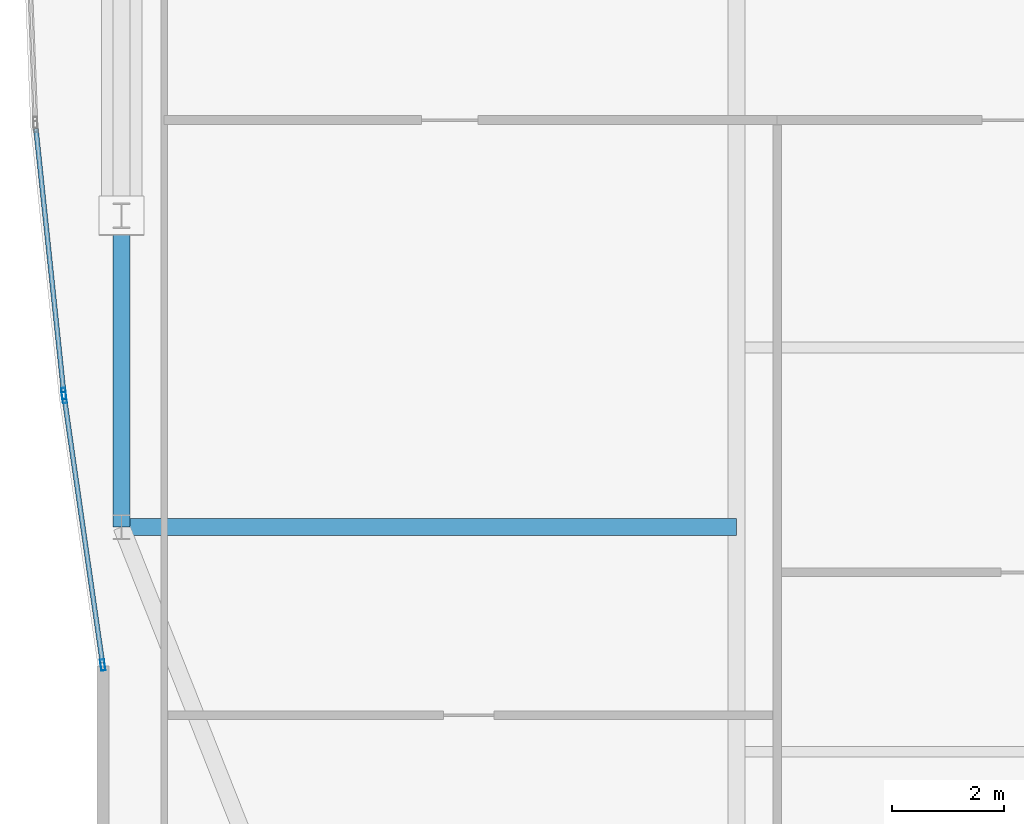
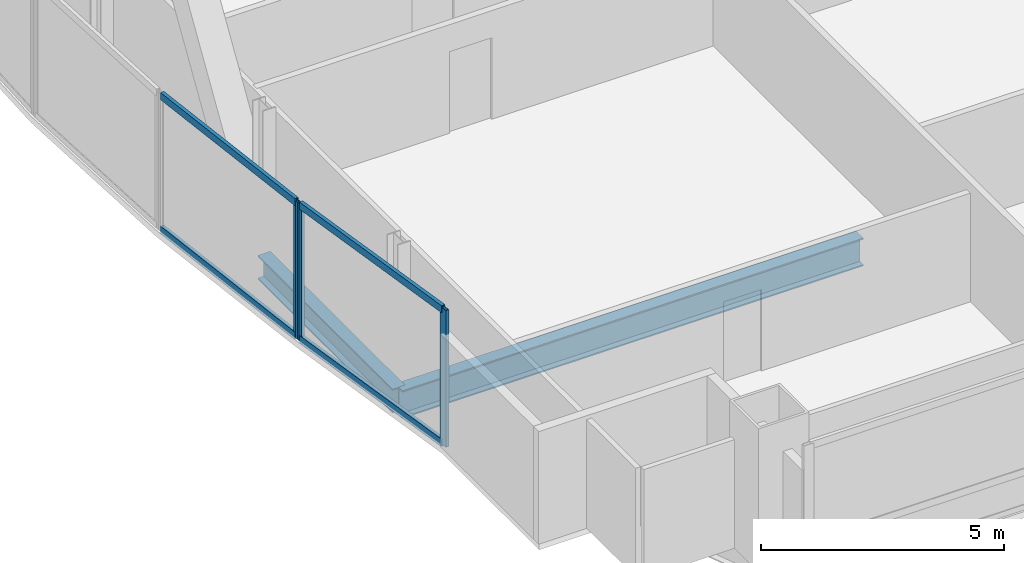
# One storey, part 6 of 32: 7 members, 2 beams, 2 elements without a shape of their own.
"""IFC4 building model written with IfcOpenShell, lengths in metres."""

from ifc_helpers import new_model, si_unit, direction, frame, origin, origin_2d, place, context, subcontext, project, spatial, hollow_rectangle, i_section, extrude, material, material_profile, profile_set, type_object, element, aggregate, save


model = new_model("IFC4")

# Units and contexts
model_context = context("Model", 3, precision=1e-05, world=origin(), true_north=direction((0.0, 1.0)))
body_context = subcontext(model_context, "Body", "Model", "MODEL_VIEW")
ifc_project = project(units=[si_unit("LENGTHUNIT", "METRE"), si_unit("AREAUNIT", "SQUARE_METRE"), si_unit("VOLUMEUNIT", "CUBIC_METRE"), si_unit("PLANEANGLEUNIT", "RADIAN"), si_unit("MASSUNIT", "GRAM", prefix="KILO")], contexts=[model_context])

# Site, building, storey
site_placement = place(None, origin())
site = spatial("IfcSite", under=ifc_project, at=site_placement, CompositionType="ELEMENT")
building_placement = place(site_placement, origin())
building = spatial("IfcBuilding", under=site, at=building_placement, Name="Khoronbel Lancet Exchange", CompositionType="ELEMENT")
storey_placement = place(building_placement, frame((0.0, 0.0, 199.39990234375)))
storey = spatial("IfcBuildingStorey", under=building, at=storey_placement, Name="L50", CompositionType="ELEMENT", Elevation=199.39990234375)

# Beams
ifc_material_1 = material(Name="Steel S355", Category="steel")
ifc_material_profile_1 = material_profile(ifc_material_1, i_section(OverallWidth=0.300048828125, OverallDepth=0.699951171875, WebThickness=0.01708984375, FlangeThickness=0.031982421875, at=origin_2d()), Name="HEB 700")
ifc_profile_set_1 = profile_set([ifc_material_profile_1], Name="Steel S355")
beam_type_1 = type_object("IfcBeamType", Name="BM-BG3", PredefinedType="BEAM", material=ifc_profile_set_1)
beam_1_placement = place(storey_placement, frame((7.27001953125, 19.199951171875, -0.510009765625), z_axis=(1.0, 0.0, 0.0), x_axis=(0.0, 1.0, 0.0)))
element("IfcBeam", 1, at=beam_1_placement, inside=storey, type_object=beam_type_1, Name="Level L50 west lens tie girder LG1W", PredefinedType="BEAM", context=body_context, shape_type="SweptSolid", body=[
    extrude(i_section(OverallWidth=0.300048828125, OverallDepth=0.699951171875, WebThickness=0.01708984375, FlangeThickness=0.031982421875, at=origin_2d()), origin(), (0.0, 0.0, 1.0), 10.955078125),
])
ifc_material_profile_2 = material_profile(ifc_material_1, i_section(OverallWidth=0.300048828125, OverallDepth=0.60009765625, WebThickness=0.015380859375, FlangeThickness=0.030029296875, at=origin_2d()), Name="HEB 600")
ifc_profile_set_2 = profile_set([ifc_material_profile_2], Name="Steel S355")
beam_type_2 = type_object("IfcBeamType", Name="BM-BSP2", PredefinedType="SPANDREL", material=ifc_profile_set_2)
beam_2_placement = place(storey_placement, frame((7.27001953125, 24.75, -0.4599609375), z_axis=(0.0, -1.0, 0.0), x_axis=(1.0, 0.0, 0.0)))
element("IfcBeam", 2, at=beam_2_placement, inside=storey, type_object=beam_type_2, Name="Level L50 perimeter spandrel beam SP20", PredefinedType="SPANDREL", context=body_context, shape_type="SweptSolid", body=[
    extrude(i_section(OverallWidth=0.300048828125, OverallDepth=0.60009765625, WebThickness=0.015380859375, FlangeThickness=0.030029296875, at=origin_2d()), origin(), (0.0, 0.0, 1.0), 5.550048828125),
])

# Curtain wall, members
ifc_material_2 = material(Name="Low-E Solar Control Insulating Glass", Category="glass")
curtain_wall_type = type_object("IfcCurtainWallType", Name="CW-4", PredefinedType="NOTDEFINED", material=ifc_material_2)
curtain_wall_1_placement = place(storey_placement, origin())
curtain_wall_1 = element("IfcCurtainWall", 3, at=curtain_wall_1_placement, inside=storey, type_object=curtain_wall_type, Name="Unitised curtain wall CW-L50-E04", PredefinedType="NOTDEFINED")
ifc_material_3 = material(Name="Bronze-Anodised Aluminium 6063-T6", Category="aluminium")
ifc_material_profile_3 = material_profile(ifc_material_3, hollow_rectangle(XDim=0.074951171875, YDim=0.199951171875, WallThickness=0.0048828125, at=origin_2d()), Name="ALU MULLION 75x200")
ifc_profile_set_3 = profile_set([ifc_material_profile_3], Name="Bronze-Anodised Aluminium 6063-T6")
member_type_1 = type_object("IfcMemberType", Name="MEM-CWM2", PredefinedType="MULLION", material=ifc_profile_set_3)
member_1_placement = place(storey_placement, frame((6.9345703125, 16.743408203125, 0.0), z_axis=(0.0, 0.0, 1.0), x_axis=(-0.989821424195, -0.142314961279, 0.0)))
member_1 = element("IfcMember", 4, at=member_1_placement, type_object=member_type_1, Name="CW4 mullion 1", PredefinedType="MULLION", context=body_context, shape_type="SweptSolid", body=[
    extrude(hollow_rectangle(XDim=0.074951171875, YDim=0.199951171875, WallThickness=0.0048828125, at=origin_2d()), origin(), (0.0, 0.0, 1.0), 3.440185546875),
])
member_2_placement = place(storey_placement, frame((6.249755859375, 21.50732421875, 0.0), z_axis=(0.0, 0.0, 1.0), x_axis=(-0.989821424195, -0.142314961279, 0.0)))
member_2 = element("IfcMember", 5, at=member_2_placement, type_object=member_type_1, Name="CW4 mullion 2", PredefinedType="MULLION", context=body_context, shape_type="SweptSolid", body=[
    extrude(hollow_rectangle(XDim=0.074951171875, YDim=0.199951171875, WallThickness=0.0048828125, at=origin_2d()), origin(), (0.0, 0.0, 1.0), 3.440185546875),
])

# Curtain wall, member
curtain_wall_2_placement = place(storey_placement, origin())
curtain_wall_2 = element("IfcCurtainWall", 6, at=curtain_wall_2_placement, inside=storey, type_object=curtain_wall_type, Name="Unitised curtain wall CW-L50-E05", PredefinedType="NOTDEFINED")
member_3_placement = place(storey_placement, frame((6.240478515625, 21.581787109375, 0.0), z_axis=(0.0, 0.0, 1.0), x_axis=(-0.994505340069, -0.104685856606, 0.0)))
member_3 = element("IfcMember", 7, at=member_3_placement, type_object=member_type_1, Name="CW4 mullion 1", PredefinedType="MULLION", context=body_context, shape_type="SweptSolid", body=[
    extrude(hollow_rectangle(XDim=0.074951171875, YDim=0.199951171875, WallThickness=0.0048828125, at=origin_2d()), origin(), (0.0, 0.0, 1.0), 3.440185546875),
])

# Member
ifc_material_profile_4 = material_profile(ifc_material_3, hollow_rectangle(XDim=0.0849609375, YDim=0.179931640625, WallThickness=0.0048828125, at=origin_2d()), Name="ALU TRANSOM 85x180")
ifc_profile_set_4 = profile_set([ifc_material_profile_4], Name="Bronze-Anodised Aluminium 6063-T6")
member_type_2 = type_object("IfcMemberType", Name="MEM-CWT1", PredefinedType="USERDEFINED", material=ifc_profile_set_4)
member_4_placement = place(storey_placement, frame((6.929443359375, 16.780517578125, 0.04248046875), z_axis=(-0.142323054791, 0.989820260489, 0.0), x_axis=(-0.989820260489, -0.142323054791, 0.0)))
member_4 = element("IfcMember", 8, at=member_4_placement, type_object=member_type_2, Name="CW4 transom 1.1", ObjectType="TRANSOM", PredefinedType="USERDEFINED", context=body_context, shape_type="SweptSolid", body=[
    extrude(hollow_rectangle(XDim=0.0849609375, YDim=0.179931640625, WallThickness=0.0048828125, at=origin_2d()), origin(), (0.0, 0.0, 1.0), 4.738037109375),
])

member_5_placement = place(storey_placement, frame((6.929443359375, 16.780517578125, 3.397705078125), z_axis=(-0.142323054791, 0.989820260489, 0.0), x_axis=(-0.989820260489, -0.142323054791, 0.0)))
member_5 = element("IfcMember", 9, at=member_5_placement, type_object=member_type_2, Name="CW4 transom 1.2", ObjectType="TRANSOM", PredefinedType="USERDEFINED", context=body_context, shape_type="SweptSolid", body=[
    extrude(hollow_rectangle(XDim=0.0849609375, YDim=0.179931640625, WallThickness=0.0048828125, at=origin_2d()), origin(), (0.0, 0.0, 1.0), 4.738037109375),
])

aggregate(curtain_wall_1, [member_1, member_2, member_4, member_5])

member_6_placement = place(storey_placement, frame((6.236572265625, 21.618896484375, 0.04248046875), z_axis=(-0.104700989227, 0.994503747029, 0.0), x_axis=(-0.994503747029, -0.104700989227, 0.0)))
member_6 = element("IfcMember", 10, at=member_6_placement, type_object=member_type_2, Name="CW4 transom 1.1", ObjectType="TRANSOM", PredefinedType="USERDEFINED", context=body_context, shape_type="SweptSolid", body=[
    extrude(hollow_rectangle(XDim=0.0849609375, YDim=0.179931640625, WallThickness=0.0048828125, at=origin_2d()), origin(), (0.0, 0.0, 1.0), 4.70556640625),
])

member_7_placement = place(storey_placement, frame((6.236572265625, 21.618896484375, 3.397705078125), z_axis=(-0.104700989227, 0.994503747029, 0.0), x_axis=(-0.994503747029, -0.104700989227, 0.0)))
member_7 = element("IfcMember", 11, at=member_7_placement, type_object=member_type_2, Name="CW4 transom 1.2", ObjectType="TRANSOM", PredefinedType="USERDEFINED", context=body_context, shape_type="SweptSolid", body=[
    extrude(hollow_rectangle(XDim=0.0849609375, YDim=0.179931640625, WallThickness=0.0048828125, at=origin_2d()), origin(), (0.0, 0.0, 1.0), 4.70556640625),
])

aggregate(curtain_wall_2, [member_3, member_6, member_7])

save(model, "model.ifc")
